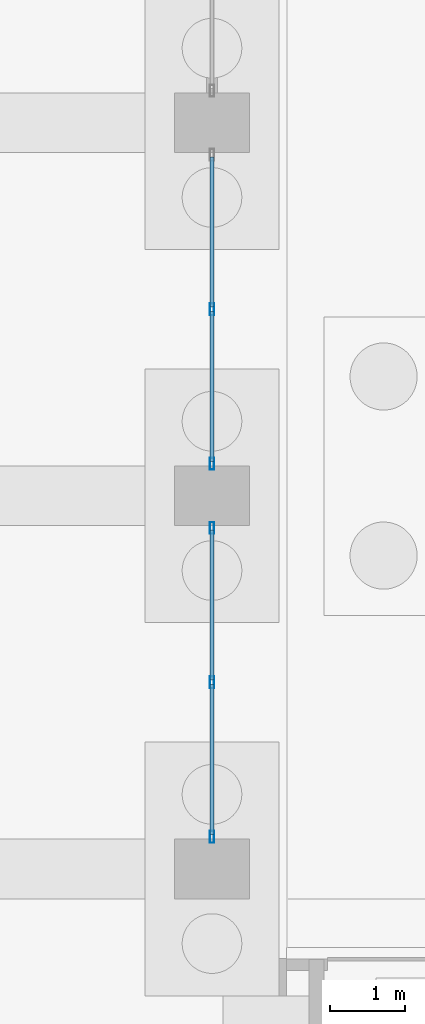
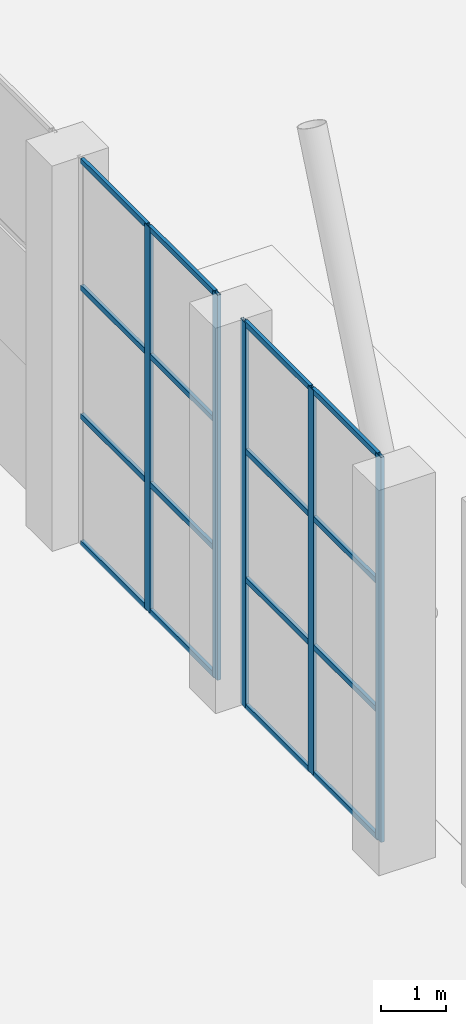
# One storey, part 133 of 239: 21 members, 2 elements without a shape of their own.
"""IFC4 building model written with IfcOpenShell, lengths in metres."""

from ifc_helpers import new_model, si_unit, direction, frame, origin, origin_2d, place, context, subcontext, project, spatial, hollow_rectangle, extrude, material, material_profile, profile_set, type_object, element, aggregate, save


model = new_model("IFC4")

# Units and contexts
model_context = context("Model", 3, precision=1e-05, world=origin(), true_north=direction((0.0, 1.0)))
body_context = subcontext(model_context, "Body", "Model", "MODEL_VIEW")
ifc_project = project(units=[si_unit("LENGTHUNIT", "METRE"), si_unit("AREAUNIT", "SQUARE_METRE"), si_unit("VOLUMEUNIT", "CUBIC_METRE"), si_unit("PLANEANGLEUNIT", "RADIAN"), si_unit("MASSUNIT", "GRAM", prefix="KILO")], contexts=[model_context])

# Site, building, storey
site_placement = place(None, origin())
site = spatial("IfcSite", under=ifc_project, at=site_placement, CompositionType="ELEMENT")
building_placement = place(site_placement, origin())
building = spatial("IfcBuilding", under=site, at=building_placement, Name="Okhra Congress Centre", CompositionType="ELEMENT")
storey_placement = place(building_placement, origin())
storey = spatial("IfcBuildingStorey", under=building, at=storey_placement, Name="L00", CompositionType="ELEMENT", Elevation=0.0)

# Curtain wall, members
ifc_material_1 = material(Name="Aluminium curtain wall, triple glazing", Category="aluminium")
curtain_wall_type = type_object("IfcCurtainWallType", Name="Curtain wall 2100 module", PredefinedType="NOTDEFINED", material=ifc_material_1)
curtain_wall_1_placement = place(storey_placement, origin())
curtain_wall_1 = element("IfcCurtainWall", 1, at=curtain_wall_1_placement, inside=storey, type_object=curtain_wall_type, Name="East bay 7 glazing", PredefinedType="NOTDEFINED")
ifc_material_2 = material(Name="Aluminium alloy EN AW-6063 T66", Category="aluminium")
ifc_material_profile_1 = material_profile(ifc_material_2, hollow_rectangle(XDim=0.06005859375, YDim=0.159912109375, WallThickness=0.00390625, at=origin_2d()), Name="RHS 60x160x4")
ifc_profile_set_1 = profile_set([ifc_material_profile_1], Name="Aluminium alloy EN AW-6063 T66")
member_type_1 = type_object("IfcMemberType", Name="Curtain wall mullion 60x160", PredefinedType="MULLION", material=ifc_profile_set_1)
member_1_placement = place(storey_placement, frame((189.0, 201.429931640625, 0.0), z_axis=(0.0, 0.0, 1.0), x_axis=(-1.0, 0.0, 0.0)))
member_1 = element("IfcMember", 2, at=member_1_placement, type_object=member_type_1, Name="CW4 mullion 1", PredefinedType="MULLION", context=body_context, shape_type="SweptSolid", body=[
    extrude(hollow_rectangle(XDim=0.06005859375, YDim=0.159912109375, WallThickness=0.00390625, at=origin_2d()), origin(), (0.0, 0.0, 1.0), 7.199951171875),
])
member_2_placement = place(storey_placement, frame((189.0, 203.5, 0.0), z_axis=(0.0, 0.0, 1.0), x_axis=(-1.0, 0.0, 0.0)))
member_2 = element("IfcMember", 3, at=member_2_placement, type_object=member_type_1, Name="CW4 mullion 2", PredefinedType="MULLION", context=body_context, shape_type="SweptSolid", body=[
    extrude(hollow_rectangle(XDim=0.06005859375, YDim=0.159912109375, WallThickness=0.00390625, at=origin_2d()), origin(), (0.0, 0.0, 1.0), 7.199951171875),
])
member_3_placement = place(storey_placement, frame((189.0, 205.570068359375, 0.0), z_axis=(0.0, 0.0, 1.0), x_axis=(-1.0, 0.0, 0.0)))
member_3 = element("IfcMember", 4, at=member_3_placement, type_object=member_type_1, Name="CW4 mullion 3", PredefinedType="MULLION", context=body_context, shape_type="SweptSolid", body=[
    extrude(hollow_rectangle(XDim=0.06005859375, YDim=0.159912109375, WallThickness=0.00390625, at=origin_2d()), origin(), (0.0, 0.0, 1.0), 7.199951171875),
])

curtain_wall_2_placement = place(storey_placement, origin())
curtain_wall_2 = element("IfcCurtainWall", 5, at=curtain_wall_2_placement, inside=storey, type_object=curtain_wall_type, Name="East bay 8 glazing", PredefinedType="NOTDEFINED")
member_4_placement = place(storey_placement, frame((189.0, 206.429931640625, 0.0), z_axis=(0.0, 0.0, 1.0), x_axis=(-1.0, 0.0, 0.0)))
member_4 = element("IfcMember", 6, at=member_4_placement, type_object=member_type_1, Name="CW4 mullion 1", PredefinedType="MULLION", context=body_context, shape_type="SweptSolid", body=[
    extrude(hollow_rectangle(XDim=0.06005859375, YDim=0.159912109375, WallThickness=0.00390625, at=origin_2d()), origin(), (0.0, 0.0, 1.0), 7.199951171875),
])
member_5_placement = place(storey_placement, frame((189.0, 208.5, 0.0), z_axis=(0.0, 0.0, 1.0), x_axis=(-1.0, 0.0, 0.0)))
member_5 = element("IfcMember", 7, at=member_5_placement, type_object=member_type_1, Name="CW4 mullion 2", PredefinedType="MULLION", context=body_context, shape_type="SweptSolid", body=[
    extrude(hollow_rectangle(XDim=0.06005859375, YDim=0.159912109375, WallThickness=0.00390625, at=origin_2d()), origin(), (0.0, 0.0, 1.0), 7.199951171875),
])

# Member
ifc_material_profile_2 = material_profile(ifc_material_2, hollow_rectangle(XDim=0.06005859375, YDim=0.10009765625, WallThickness=0.00390625, at=origin_2d()), Name="RHS 60x100x4")
ifc_profile_set_2 = profile_set([ifc_material_profile_2], Name="Aluminium alloy EN AW-6063 T66")
member_type_2 = type_object("IfcMemberType", Name="Curtain wall transom 60x100", PredefinedType="USERDEFINED", material=ifc_profile_set_2)
member_6_placement = place(storey_placement, frame((189.0, 201.4599609375, 0.030029296875), z_axis=(0.0, 1.0, 0.0), x_axis=(-1.0, 0.0, 0.0)))
member_6 = element("IfcMember", 8, at=member_6_placement, type_object=member_type_2, Name="CW4 transom 1.1", ObjectType="TRANSOM", PredefinedType="USERDEFINED", context=body_context, shape_type="SweptSolid", body=[
    extrude(hollow_rectangle(XDim=0.06005859375, YDim=0.10009765625, WallThickness=0.00390625, at=origin_2d()), origin(), (0.0, 0.0, 1.0), 2.010009765625),
])

member_7_placement = place(storey_placement, frame((189.0, 201.4599609375, 2.39990234375), z_axis=(0.0, 1.0, 0.0), x_axis=(-1.0, 0.0, 0.0)))
member_7 = element("IfcMember", 9, at=member_7_placement, type_object=member_type_2, Name="CW4 transom 1.2", ObjectType="TRANSOM", PredefinedType="USERDEFINED", context=body_context, shape_type="SweptSolid", body=[
    extrude(hollow_rectangle(XDim=0.06005859375, YDim=0.10009765625, WallThickness=0.00390625, at=origin_2d()), origin(), (0.0, 0.0, 1.0), 2.010009765625),
])

member_8_placement = place(storey_placement, frame((189.0, 201.4599609375, 4.800048828125), z_axis=(0.0, 1.0, 0.0), x_axis=(-1.0, 0.0, 0.0)))
member_8 = element("IfcMember", 10, at=member_8_placement, type_object=member_type_2, Name="CW4 transom 1.3", ObjectType="TRANSOM", PredefinedType="USERDEFINED", context=body_context, shape_type="SweptSolid", body=[
    extrude(hollow_rectangle(XDim=0.06005859375, YDim=0.10009765625, WallThickness=0.00390625, at=origin_2d()), origin(), (0.0, 0.0, 1.0), 2.010009765625),
])

member_9_placement = place(storey_placement, frame((189.0, 201.4599609375, 7.169921875), z_axis=(0.0, 1.0, 0.0), x_axis=(-1.0, 0.0, 0.0)))
member_9 = element("IfcMember", 11, at=member_9_placement, type_object=member_type_2, Name="CW4 transom 1.4", ObjectType="TRANSOM", PredefinedType="USERDEFINED", context=body_context, shape_type="SweptSolid", body=[
    extrude(hollow_rectangle(XDim=0.06005859375, YDim=0.10009765625, WallThickness=0.00390625, at=origin_2d()), origin(), (0.0, 0.0, 1.0), 2.010009765625),
])

member_10_placement = place(storey_placement, frame((189.0, 203.530029296875, 0.030029296875), z_axis=(0.0, 1.0, 0.0), x_axis=(-1.0, 0.0, 0.0)))
member_10 = element("IfcMember", 12, at=member_10_placement, type_object=member_type_2, Name="CW4 transom 2.1", ObjectType="TRANSOM", PredefinedType="USERDEFINED", context=body_context, shape_type="SweptSolid", body=[
    extrude(hollow_rectangle(XDim=0.06005859375, YDim=0.10009765625, WallThickness=0.00390625, at=origin_2d()), origin(), (0.0, 0.0, 1.0), 2.010009765625),
])

member_11_placement = place(storey_placement, frame((189.0, 203.530029296875, 2.39990234375), z_axis=(0.0, 1.0, 0.0), x_axis=(-1.0, 0.0, 0.0)))
member_11 = element("IfcMember", 13, at=member_11_placement, type_object=member_type_2, Name="CW4 transom 2.2", ObjectType="TRANSOM", PredefinedType="USERDEFINED", context=body_context, shape_type="SweptSolid", body=[
    extrude(hollow_rectangle(XDim=0.06005859375, YDim=0.10009765625, WallThickness=0.00390625, at=origin_2d()), origin(), (0.0, 0.0, 1.0), 2.010009765625),
])

member_12_placement = place(storey_placement, frame((189.0, 203.530029296875, 4.800048828125), z_axis=(0.0, 1.0, 0.0), x_axis=(-1.0, 0.0, 0.0)))
member_12 = element("IfcMember", 14, at=member_12_placement, type_object=member_type_2, Name="CW4 transom 2.3", ObjectType="TRANSOM", PredefinedType="USERDEFINED", context=body_context, shape_type="SweptSolid", body=[
    extrude(hollow_rectangle(XDim=0.06005859375, YDim=0.10009765625, WallThickness=0.00390625, at=origin_2d()), origin(), (0.0, 0.0, 1.0), 2.010009765625),
])

member_13_placement = place(storey_placement, frame((189.0, 203.530029296875, 7.169921875), z_axis=(0.0, 1.0, 0.0), x_axis=(-1.0, 0.0, 0.0)))
member_13 = element("IfcMember", 15, at=member_13_placement, type_object=member_type_2, Name="CW4 transom 2.4", ObjectType="TRANSOM", PredefinedType="USERDEFINED", context=body_context, shape_type="SweptSolid", body=[
    extrude(hollow_rectangle(XDim=0.06005859375, YDim=0.10009765625, WallThickness=0.00390625, at=origin_2d()), origin(), (0.0, 0.0, 1.0), 2.010009765625),
])

aggregate(curtain_wall_1, [member_1, member_2, member_3, member_6, member_7, member_8, member_9, member_10, member_11, member_12, member_13])

member_14_placement = place(storey_placement, frame((189.0, 206.4599609375, 0.030029296875), z_axis=(0.0, 1.0, 0.0), x_axis=(-1.0, 0.0, 0.0)))
member_14 = element("IfcMember", 16, at=member_14_placement, type_object=member_type_2, Name="CW4 transom 1.1", ObjectType="TRANSOM", PredefinedType="USERDEFINED", context=body_context, shape_type="SweptSolid", body=[
    extrude(hollow_rectangle(XDim=0.06005859375, YDim=0.10009765625, WallThickness=0.00390625, at=origin_2d()), origin(), (0.0, 0.0, 1.0), 2.010009765625),
])

member_15_placement = place(storey_placement, frame((189.0, 206.4599609375, 2.39990234375), z_axis=(0.0, 1.0, 0.0), x_axis=(-1.0, 0.0, 0.0)))
member_15 = element("IfcMember", 17, at=member_15_placement, type_object=member_type_2, Name="CW4 transom 1.2", ObjectType="TRANSOM", PredefinedType="USERDEFINED", context=body_context, shape_type="SweptSolid", body=[
    extrude(hollow_rectangle(XDim=0.06005859375, YDim=0.10009765625, WallThickness=0.00390625, at=origin_2d()), origin(), (0.0, 0.0, 1.0), 2.010009765625),
])

member_16_placement = place(storey_placement, frame((189.0, 206.4599609375, 4.800048828125), z_axis=(0.0, 1.0, 0.0), x_axis=(-1.0, 0.0, 0.0)))
member_16 = element("IfcMember", 18, at=member_16_placement, type_object=member_type_2, Name="CW4 transom 1.3", ObjectType="TRANSOM", PredefinedType="USERDEFINED", context=body_context, shape_type="SweptSolid", body=[
    extrude(hollow_rectangle(XDim=0.06005859375, YDim=0.10009765625, WallThickness=0.00390625, at=origin_2d()), origin(), (0.0, 0.0, 1.0), 2.010009765625),
])

member_17_placement = place(storey_placement, frame((189.0, 206.4599609375, 7.169921875), z_axis=(0.0, 1.0, 0.0), x_axis=(-1.0, 0.0, 0.0)))
member_17 = element("IfcMember", 19, at=member_17_placement, type_object=member_type_2, Name="CW4 transom 1.4", ObjectType="TRANSOM", PredefinedType="USERDEFINED", context=body_context, shape_type="SweptSolid", body=[
    extrude(hollow_rectangle(XDim=0.06005859375, YDim=0.10009765625, WallThickness=0.00390625, at=origin_2d()), origin(), (0.0, 0.0, 1.0), 2.010009765625),
])

member_18_placement = place(storey_placement, frame((189.0, 208.530029296875, 0.030029296875), z_axis=(0.0, 1.0, 0.0), x_axis=(-1.0, 0.0, 0.0)))
member_18 = element("IfcMember", 20, at=member_18_placement, type_object=member_type_2, Name="CW4 transom 2.1", ObjectType="TRANSOM", PredefinedType="USERDEFINED", context=body_context, shape_type="SweptSolid", body=[
    extrude(hollow_rectangle(XDim=0.06005859375, YDim=0.10009765625, WallThickness=0.00390625, at=origin_2d()), origin(), (0.0, 0.0, 1.0), 2.010009765625),
])

member_19_placement = place(storey_placement, frame((189.0, 208.530029296875, 2.39990234375), z_axis=(0.0, 1.0, 0.0), x_axis=(-1.0, 0.0, 0.0)))
member_19 = element("IfcMember", 21, at=member_19_placement, type_object=member_type_2, Name="CW4 transom 2.2", ObjectType="TRANSOM", PredefinedType="USERDEFINED", context=body_context, shape_type="SweptSolid", body=[
    extrude(hollow_rectangle(XDim=0.06005859375, YDim=0.10009765625, WallThickness=0.00390625, at=origin_2d()), origin(), (0.0, 0.0, 1.0), 2.010009765625),
])

member_20_placement = place(storey_placement, frame((189.0, 208.530029296875, 4.800048828125), z_axis=(0.0, 1.0, 0.0), x_axis=(-1.0, 0.0, 0.0)))
member_20 = element("IfcMember", 22, at=member_20_placement, type_object=member_type_2, Name="CW4 transom 2.3", ObjectType="TRANSOM", PredefinedType="USERDEFINED", context=body_context, shape_type="SweptSolid", body=[
    extrude(hollow_rectangle(XDim=0.06005859375, YDim=0.10009765625, WallThickness=0.00390625, at=origin_2d()), origin(), (0.0, 0.0, 1.0), 2.010009765625),
])

member_21_placement = place(storey_placement, frame((189.0, 208.530029296875, 7.169921875), z_axis=(0.0, 1.0, 0.0), x_axis=(-1.0, 0.0, 0.0)))
member_21 = element("IfcMember", 23, at=member_21_placement, type_object=member_type_2, Name="CW4 transom 2.4", ObjectType="TRANSOM", PredefinedType="USERDEFINED", context=body_context, shape_type="SweptSolid", body=[
    extrude(hollow_rectangle(XDim=0.06005859375, YDim=0.10009765625, WallThickness=0.00390625, at=origin_2d()), origin(), (0.0, 0.0, 1.0), 2.010009765625),
])

aggregate(curtain_wall_2, [member_4, member_5, member_14, member_15, member_16, member_17, member_18, member_19, member_20, member_21])

save(model, "model.ifc")
